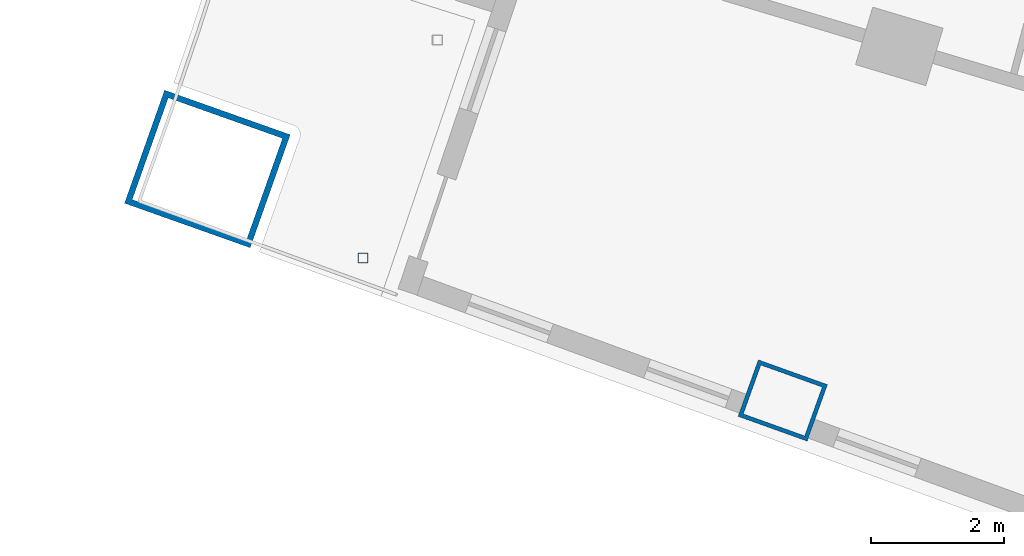
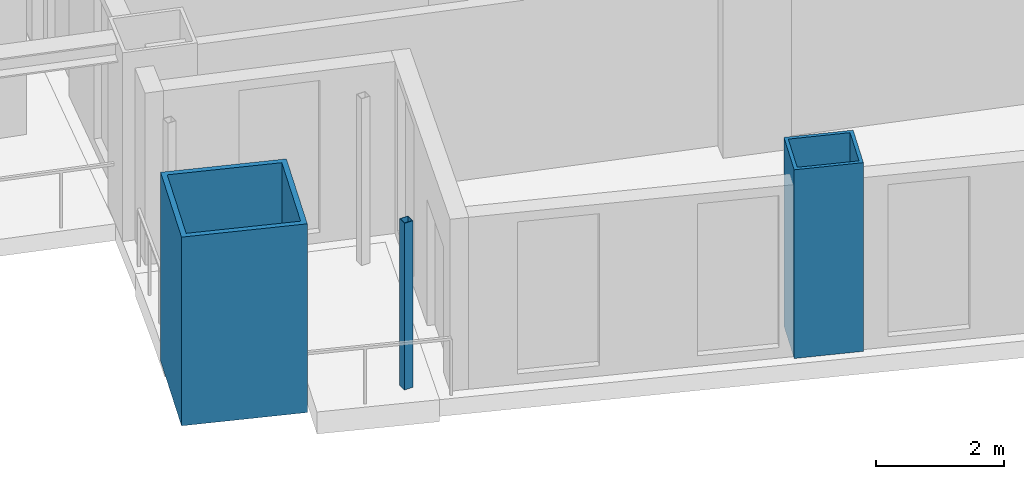
# One storey, part 1 of 25: 3 columns.
"""IFC4 building model written with IfcOpenShell, lengths in metres."""

from ifc_helpers import new_model, si_unit, direction, frame, origin, origin_2d, place, context, subcontext, project, spatial, hollow_rectangle, extrude, material, material_profile, profile_set, type_object, element, save


model = new_model("IFC4")

# Units and contexts
model_context = context("Model", 3, precision=1e-05, world=origin(), true_north=direction((0.0, 1.0)))
body_context = subcontext(model_context, "Body", "Model", "MODEL_VIEW")
ifc_project = project(units=[si_unit("LENGTHUNIT", "METRE"), si_unit("AREAUNIT", "SQUARE_METRE"), si_unit("VOLUMEUNIT", "CUBIC_METRE"), si_unit("PLANEANGLEUNIT", "RADIAN"), si_unit("MASSUNIT", "GRAM", prefix="KILO")], contexts=[model_context])

# Site, building, storey
site_placement = place(None, origin())
site = spatial("IfcSite", under=ifc_project, at=site_placement, CompositionType="ELEMENT")
building_placement = place(site_placement, origin())
building = spatial("IfcBuilding", under=site, at=building_placement, Name="Alderwake Tower", CompositionType="ELEMENT")
storey_placement = place(building_placement, frame((0.0, 0.0, 60.800048828125)))
storey = spatial("IfcBuildingStorey", under=building, at=storey_placement, Name="L14", CompositionType="ELEMENT", Elevation=60.800048828125)

# Columns
ifc_material_1 = material(Name="Steel ASTM A572 Grade 50 concrete filled C70/85", Category="concrete")
ifc_material_profile_1 = material_profile(ifc_material_1, hollow_rectangle(XDim=0.89990234375, YDim=1.10009765625, WallThickness=0.06005859375, at=origin_2d()), Name="BOX 1100X900X60")
ifc_profile_set_1 = profile_set([ifc_material_profile_1], Name="Steel ASTM A572 Grade 50 concrete filled C70/85")
column_type_1 = type_object("IfcColumnType", Name="End column Z1", PredefinedType="COLUMN", material=ifc_profile_set_1)
column_1_placement = place(storey_placement, frame((19.965576171875, 25.1484375, 0.0), z_axis=(0.0, 0.0, 1.0), x_axis=(0.337584879279, 0.9412950915, 0.0)))
element("IfcColumn", 1, at=column_1_placement, inside=storey, type_object=column_type_1, Name="Column R01-C1", PredefinedType="COLUMN", context=body_context, shape_type="SweptSolid", body=[
    extrude(hollow_rectangle(XDim=0.89990234375, YDim=1.10009765625, WallThickness=0.06005859375, at=origin_2d()), origin(), (0.0, 0.0, 1.0), 3.599853515625),
])
ifc_material_2 = material(Name="Steel ASTM A500 Grade C", Category="steel")
ifc_material_profile_2 = material_profile(ifc_material_2, hollow_rectangle(XDim=0.15234375, YDim=0.15234375, WallThickness=0.0087890625, at=origin_2d()), Name="HSS6X6X3/8")
ifc_profile_set_2 = profile_set([ifc_material_profile_2], Name="Steel ASTM A500 Grade C")
column_type_2 = type_object("IfcColumnType", Name="Light post HSS6X6X3/8", PredefinedType="COLUMN", material=ifc_profile_set_2)
column_2_placement = place(storey_placement, frame((13.66796875, 27.28759765625, 0.0), z_axis=(0.0, 0.0, 1.0), x_axis=(1.0, 0.0, 0.0)))
element("IfcColumn", 2, at=column_2_placement, inside=storey, type_object=column_type_2, Name="Terrace post RS2", PredefinedType="COLUMN", context=body_context, shape_type="SweptSolid", body=[
    extrude(hollow_rectangle(XDim=0.15234375, YDim=0.15234375, WallThickness=0.0087890625, at=origin_2d()), origin(), (0.0, 0.0, 1.0), 3.179931640625),
])
ifc_material_3 = material(Name="Steel ASTM A572 Grade 50 concrete filled C70/85", Category="concrete")
ifc_material_profile_3 = material_profile(ifc_material_3, hollow_rectangle(XDim=1.800048828125, YDim=2.0, WallThickness=0.090087890625, at=origin_2d()), Name="BOX 2000X1800X90")
ifc_profile_set_3 = profile_set([ifc_material_profile_3], Name="Steel ASTM A572 Grade 50 concrete filled C70/85")
column_type_3 = type_object("IfcColumnType", Name="Mega column Z1", PredefinedType="COLUMN", material=ifc_profile_set_3)
column_3_placement = place(storey_placement, frame((11.330810546875, 28.622802734375, 0.0), z_axis=(0.0, 0.0, 1.0), x_axis=(0.334130947791, 0.942526662609, 0.0)))
element("IfcColumn", 3, at=column_3_placement, inside=storey, type_object=column_type_3, Name="Column R01-C0", PredefinedType="COLUMN", context=body_context, shape_type="SweptSolid", body=[
    extrude(hollow_rectangle(XDim=1.800048828125, YDim=2.0, WallThickness=0.090087890625, at=origin_2d()), origin(), (0.0, 0.0, 1.0), 3.599853515625),
])

save(model, "model.ifc")
